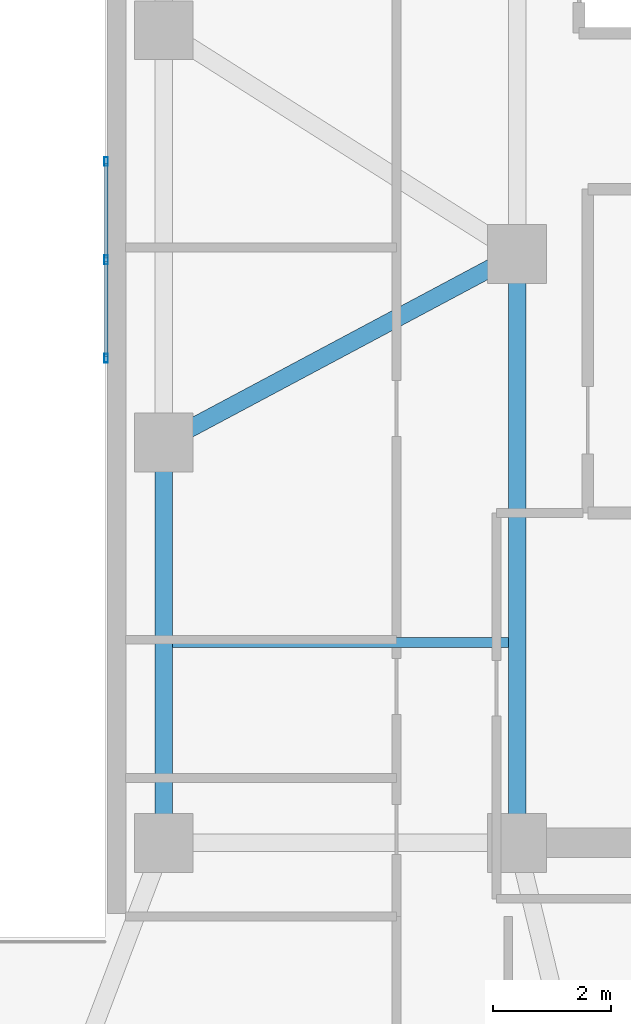
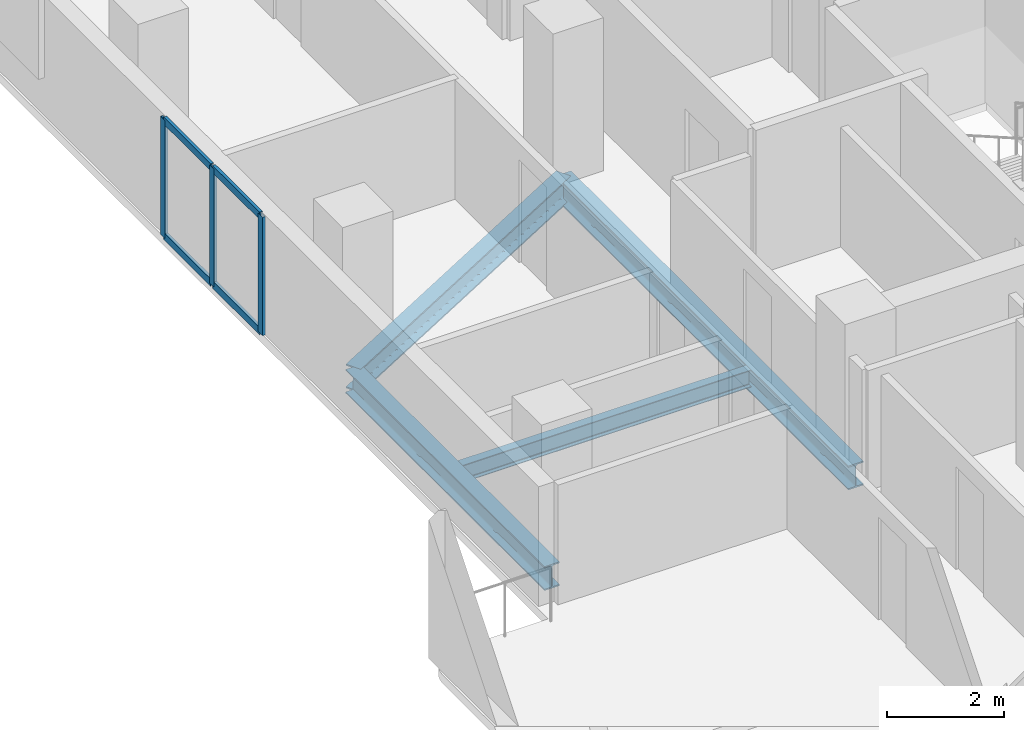
# One storey, part 8 of 17: 7 members, 4 beams, 1 element without a shape of its own.
"""IFC4 building model written with IfcOpenShell, lengths in metres."""

import ifcopenshell
import ifcopenshell.guid

model = None  # the IFC model being written
_history = None  # IfcOwnerHistory: only IFC2X3 demands one
_inside = {}  # id of a spatial element -> (the spatial element, [elements in it])
_under = {}  # id of a project, library or spatial element -> (it, [spatial elements below it])
_declared = {}  # id of a project -> (the project, [libraries it declares])
_typed = {}  # id of a type object -> (the type object, [elements of that type])
_made_of = {}  # id of a material, layer set ... -> (it, [elements and type objects made of it])


def new_model(schema):
    """Start an empty IFC model of exactly this schema.

    Asked for "IFC4X3", IfcOpenShell would pick the latest addendum, in which some entities
    have other attributes; the version numbers below select the first issue.
    IFC2X3 requires an IfcOwnerHistory on every rooted entity: one is made here for all.
    """
    global model, _history
    if schema == "IFC4X3":
        model = ifcopenshell.file(schema_version=(4, 3, 0, 0))
    else:
        model = ifcopenshell.file(schema=schema)
    _inside.clear()
    _under.clear()
    _declared.clear()
    _typed.clear()
    _made_of.clear()
    _history = None
    if model.schema == "IFC2X3":
        org = make("IfcOrganization", Name="unknown")
        user = make(
            "IfcPersonAndOrganization",
            ThePerson=make("IfcPerson", FamilyName="unknown"),
            TheOrganization=org,
        )
        app = make(
            "IfcApplication",
            ApplicationDeveloper=org,
            Version="unknown",
            ApplicationFullName="unknown",
            ApplicationIdentifier="unknown",
        )
        _history = make(
            "IfcOwnerHistory",
            OwningUser=user,
            OwningApplication=app,
            ChangeAction="ADDED",
            CreationDate=0,
        )
    return model


def make(cls, **values):
    """One entity of the class cls with the attributes given. An attribute that is None is left unset."""
    return model.create_entity(
        cls, **{name: value for name, value in values.items() if value is not None}
    )


def rooted(cls, **values):
    """An entity with a GlobalId (a new one), such as an element, a storey or a relation."""
    return make(cls, GlobalId=ifcopenshell.guid.new(), OwnerHistory=_history, **values)


def si_unit(unit_type, name, prefix=None):
    """IfcSIUnit, for example si_unit("LENGTHUNIT", "METRE", prefix="MILLI")."""
    return make("IfcSIUnit", UnitType=unit_type, Prefix=prefix, Name=name)


def assignment(units):
    """IfcUnitAssignment: the units of a project."""
    return None if units is None else make("IfcUnitAssignment", Units=units)


def point(xyz):
    """IfcCartesianPoint."""
    return None if xyz is None else make("IfcCartesianPoint", Coordinates=xyz)


def direction(xyz):
    """IfcDirection."""
    return None if xyz is None else make("IfcDirection", DirectionRatios=xyz)


def frame(location, z_axis=None, x_axis=None):
    """IfcAxis2Placement3D, a coordinate frame: its origin and axes. An axis left out is left unset."""
    return make(
        "IfcAxis2Placement3D",
        Location=point(location),
        Axis=direction(z_axis),
        RefDirection=direction(x_axis),
    )


def frame_2d(location, x_axis=None):
    """IfcAxis2Placement2D, a coordinate frame in the plane: its origin and x axis."""
    return make(
        "IfcAxis2Placement2D", Location=point(location), RefDirection=direction(x_axis)
    )


def origin():
    """The frame at (0, 0, 0) with its axes left unset."""
    return frame((0.0, 0.0, 0.0))


def origin_2d():
    """The frame at (0, 0) in the plane with its x axis left unset."""
    return frame_2d((0.0, 0.0))


def place(relative_to, where):
    """IfcLocalPlacement: puts the frame where relative to a parent placement (None: the world)."""
    return make(
        "IfcLocalPlacement", PlacementRelTo=relative_to, RelativePlacement=where
    )


def context(
    kind, dimensions, precision=None, world=None, true_north=None, identifier=None
):
    """IfcGeometricRepresentationContext, for example the 3D "Model" context."""
    return make(
        "IfcGeometricRepresentationContext",
        ContextIdentifier=identifier,
        ContextType=kind,
        CoordinateSpaceDimension=dimensions,
        Precision=precision,
        WorldCoordinateSystem=world,
        TrueNorth=true_north,
    )


def subcontext(parent, identifier, kind, view, scale=None):
    """IfcGeometricRepresentationSubContext, for example "Body" below "Model"."""
    return make(
        "IfcGeometricRepresentationSubContext",
        ContextIdentifier=identifier,
        ContextType=kind,
        ParentContext=parent,
        TargetScale=scale,
        TargetView=view,
    )


def project(units=None, contexts=None):
    """IfcProject with its units and contexts."""
    return rooted(
        "IfcProject",
        Name="project",
        RepresentationContexts=contexts,
        UnitsInContext=assignment(units),
    )


def spatial(cls, under=None, at=None, **own):
    """A site, building, storey or space (cls), placed at a placement, below another one or the project."""
    s = rooted(cls, ObjectPlacement=at, **own)
    if under is not None:
        _under.setdefault(under.id(), (under, []))[1].append(s)
    return s


def profile(cls, at=None, kind="AREA", **sizes):
    """A parametric profile (cls). Its sizes go by their IFC names, for example OverallWidth=200.0."""
    return make(cls, ProfileType=kind, Position=at, **sizes)


def hollow_rectangle(**sizes):
    """IfcRectangleHollowProfileDef."""
    return profile("IfcRectangleHollowProfileDef", **sizes)


def i_section(**sizes):
    """IfcIShapeProfileDef."""
    return profile("IfcIShapeProfileDef", **sizes)


def extrude(swept, where, along, depth):
    """IfcExtrudedAreaSolid: the profile swept, set in the frame where, extruded along a direction by depth."""
    return make(
        "IfcExtrudedAreaSolid",
        SweptArea=swept,
        Position=where,
        ExtrudedDirection=direction(along),
        Depth=depth,
    )


def shape(context_of_items, identifier, shape_type, items):
    """IfcShapeRepresentation: the items that make up one representation, for example the "Body"."""
    return make(
        "IfcShapeRepresentation",
        ContextOfItems=context_of_items,
        RepresentationIdentifier=identifier,
        RepresentationType=shape_type,
        Items=items,
    )


def material(Name=None, Category=None):
    """IfcMaterial."""
    return make("IfcMaterial", Name=Name, Category=Category)


def material_profile(
    of_material, cross_section, Name=None, Category=None, Priority=None
):
    """IfcMaterialProfile: a cross section and its material."""
    return make(
        "IfcMaterialProfile",
        Name=Name,
        Material=of_material,
        Profile=cross_section,
        Priority=Priority,
        Category=Category,
    )


def profile_set(profiles, Name=None, composite=None):
    """IfcMaterialProfileSet."""
    return make(
        "IfcMaterialProfileSet",
        Name=Name,
        MaterialProfiles=profiles,
        CompositeProfile=composite,
    )


def made_of(thing, what):
    """Note that an element or type object is made of a material, layer set ...; save() writes the relation."""
    if what is not None:
        _made_of.setdefault(what.id(), (what, []))[1].append(thing)
    return thing


def type_object(cls, material=None, **own):
    """A type object (cls), such as IfcWallType, which elements share."""
    return made_of(rooted(cls, **own), material)


def element(
    cls,
    number,
    at=None,
    inside=None,
    cuts=None,
    type_object=None,
    material=None,
    context=None,
    identifier="Body",
    shape_type=None,
    held_by="IfcProductDefinitionShape",
    body=None,
    shapes=None,
    **own,
):
    """One element of the class cls, such as IfcWall. Its Tag is "e" and its number.

    at: its placement. inside: the storey or other place that contains it. cuts: it is an
    opening in that element (IfcRelVoidsElement). A single representation is given by context,
    identifier, shape_type and body (its items); several are given by shapes. held_by: the class
    of the entity that holds the representations. save() writes the other relations.
    """
    e = rooted(cls, Tag="e%d" % number, ObjectPlacement=at, **own)
    if body is not None:
        shapes = [shape(context, identifier, shape_type, body)]
    if shapes is not None:
        e.Representation = make(held_by, Representations=shapes)
    if inside is not None:
        _inside.setdefault(inside.id(), (inside, []))[1].append(e)
    if cuts is not None:
        rooted(
            "IfcRelVoidsElement", RelatingBuildingElement=cuts, RelatedOpeningElement=e
        )
    if type_object is not None:
        _typed.setdefault(type_object.id(), (type_object, []))[1].append(e)
    return made_of(e, material)


def aggregate(whole, parts):
    """IfcRelAggregates: a whole, such as a stair, and the parts it consists of."""
    return rooted("IfcRelAggregates", RelatingObject=whole, RelatedObjects=parts)


def save(model, path):
    """Write the relations noted so far, then the file.

    IfcRelAggregates (storeys below a building ...), IfcRelContainedInSpatialStructure (elements
    in a storey), IfcRelDefinesByType, IfcRelAssociatesMaterial and IfcRelDeclares: one each for
    every whole, place, type object, material and project.
    """
    for whole, parts in _under.values():
        aggregate(whole, parts)
    for where, things in _inside.values():
        rooted(
            "IfcRelContainedInSpatialStructure",
            RelatedElements=things,
            RelatingStructure=where,
        )
    for kind, things in _typed.values():
        rooted("IfcRelDefinesByType", RelatedObjects=things, RelatingType=kind)
    for what, things in _made_of.values():
        rooted("IfcRelAssociatesMaterial", RelatedObjects=things, RelatingMaterial=what)
    for by, libraries in _declared.values():
        rooted("IfcRelDeclares", RelatingContext=by, RelatedDefinitions=libraries)
    model.write(path)


model = new_model("IFC4")

# Units and contexts
model_context = context("Model", 3, precision=1e-05, world=origin(), true_north=direction((0.0, 1.0)))
body_context = subcontext(model_context, "Body", "Model", "MODEL_VIEW")
ifc_project = project(units=[si_unit("LENGTHUNIT", "METRE"), si_unit("AREAUNIT", "SQUARE_METRE"), si_unit("VOLUMEUNIT", "CUBIC_METRE"), si_unit("PLANEANGLEUNIT", "RADIAN"), si_unit("MASSUNIT", "GRAM", prefix="KILO")], contexts=[model_context])

# Site, building, storey
site_placement = place(None, origin())
site = spatial("IfcSite", under=ifc_project, at=site_placement, CompositionType="ELEMENT")
building_placement = place(site_placement, origin())
building = spatial("IfcBuilding", under=site, at=building_placement, Name="Kuzgunbayir Cultural Tower", CompositionType="ELEMENT")
storey_placement = place(building_placement, frame((0.0, 0.0, 46.800048828125)))
storey = spatial("IfcBuildingStorey", under=building, at=storey_placement, Name="L12", CompositionType="ELEMENT", Elevation=46.800048828125)

# Beams
ifc_material_1 = material(Name="Steel S355J2", Category="steel")
ifc_material_profile_1 = material_profile(ifc_material_1, i_section(OverallWidth=0.300048828125, OverallDepth=0.5, WebThickness=0.014404296875, FlangeThickness=0.028076171875, FilletRadius=0.027099609375, at=origin_2d()), Name="HEB 500")
ifc_profile_set_1 = profile_set([ifc_material_profile_1], Name="Steel S355J2")
beam_type_1 = type_object("IfcBeamType", Name="BM-EXT-HEB500", PredefinedType="BEAM", material=ifc_profile_set_1)
beam_1_placement = place(storey_placement, frame((58.60009765625, 22.0, -0.429931640625), z_axis=(0.0, 1.0, 0.0), x_axis=(-1.0, 0.0, 0.0)))
element("IfcBeam", 1, at=beam_1_placement, inside=storey, type_object=beam_type_1, Name="L12 Companion West Girder", PredefinedType="BEAM", context=body_context, shape_type="SweptSolid", body=[
    extrude(i_section(OverallWidth=0.300048828125, OverallDepth=0.5, WebThickness=0.014404296875, FlangeThickness=0.028076171875, FilletRadius=0.027099609375, at=origin_2d()), origin(), (0.0, 0.0, 1.0), 6.800048828125),
])
ifc_material_profile_2 = material_profile(ifc_material_1, i_section(OverallWidth=0.300048828125, OverallDepth=0.5, WebThickness=0.014404296875, FlangeThickness=0.028076171875, FilletRadius=0.027099609375, at=origin_2d()), Name="HEB 500")
ifc_profile_set_2 = profile_set([ifc_material_profile_2], Name="Steel S355J2")
beam_type_2 = type_object("IfcBeamType", Name="BM-GIR-HEB500", PredefinedType="BEAM", material=ifc_profile_set_2)
beam_2_placement = place(storey_placement, frame((58.60009765625, 28.800048828125, -0.429931640625), z_axis=(0.882355922736, 0.470582644828, 0.0), x_axis=(-0.470582644828, 0.882355922736, 0.0)))
element("IfcBeam", 2, at=beam_2_placement, inside=storey, type_object=beam_type_2, Name="L12 Companion Transverse Girder 2", PredefinedType="BEAM", context=body_context, shape_type="SweptSolid", body=[
    extrude(i_section(OverallWidth=0.300048828125, OverallDepth=0.5, WebThickness=0.014404296875, FlangeThickness=0.028076171875, FilletRadius=0.027099609375, at=origin_2d()), origin(), (0.0, 0.0, 1.0), 6.800048828125),
])
beam_3_placement = place(storey_placement, frame((64.60009765625, 22.0, -0.429931640625), z_axis=(0.0, 1.0, 0.0), x_axis=(-1.0, 0.0, 0.0)))
element("IfcBeam", 3, at=beam_3_placement, inside=storey, type_object=beam_type_2, Name="L12 Companion Core West Girder 1", PredefinedType="BEAM", context=body_context, shape_type="SweptSolid", body=[
    extrude(i_section(OverallWidth=0.300048828125, OverallDepth=0.5, WebThickness=0.014404296875, FlangeThickness=0.028076171875, FilletRadius=0.027099609375, at=origin_2d()), origin(), (0.0, 0.0, 1.0), 10.0),
])
ifc_material_profile_3 = material_profile(ifc_material_1, i_section(OverallWidth=0.169921875, OverallDepth=0.360107421875, WebThickness=0.008056640625, FlangeThickness=0.0126953125, FilletRadius=0.01806640625, at=origin_2d()), Name="IPE 360")
ifc_profile_set_3 = profile_set([ifc_material_profile_3], Name="Steel S355J2")
beam_type_3 = type_object("IfcBeamType", Name="BM-JST-IPE360", PredefinedType="JOIST", material=ifc_profile_set_3)
beam_4_placement = place(storey_placement, frame((58.75, 25.39990234375, -0.360107421875), z_axis=(1.0, 0.0, 0.0), x_axis=(0.0, 1.0, 0.0)))
element("IfcBeam", 4, at=beam_4_placement, inside=storey, type_object=beam_type_3, Name="L12 Companion Joist", PredefinedType="JOIST", context=body_context, shape_type="SweptSolid", body=[
    extrude(i_section(OverallWidth=0.169921875, OverallDepth=0.360107421875, WebThickness=0.008056640625, FlangeThickness=0.0126953125, FilletRadius=0.01806640625, at=origin_2d()), origin(), (0.0, 0.0, 1.0), 5.699951171875),
])

# Curtain wall, members
ifc_material_2 = material(Name="Anodised Aluminium Framing", Category="aluminium")
curtain_wall_type = type_object("IfcCurtainWallType", Name="CW04-T2-CULTURAL", PredefinedType="NOTDEFINED", material=ifc_material_2)
curtain_wall_placement = place(storey_placement, origin())
curtain_wall = element("IfcCurtainWall", 5, at=curtain_wall_placement, inside=storey, type_object=curtain_wall_type, Name="L12 Companion Cultural Curtain Wall", PredefinedType="NOTDEFINED")
ifc_material_profile_4 = material_profile(ifc_material_2, hollow_rectangle(XDim=0.06005859375, YDim=0.14990234375, WallThickness=0.00390625, at=origin_2d()), Name="RHS 150x60x4")
ifc_profile_set_4 = profile_set([ifc_material_profile_4], Name="Anodised Aluminium Framing")
member_type_1 = type_object("IfcMemberType", Name="MEM-CW-MULLION-150", PredefinedType="MULLION", material=ifc_profile_set_4)
member_1_placement = place(storey_placement, frame((57.6201171875, 30.22998046875, 0.0), z_axis=(0.0, 0.0, 1.0), x_axis=(-1.0, 0.0, 0.0)))
member_1 = element("IfcMember", 6, at=member_1_placement, type_object=member_type_1, Name="CW04 mullion 1", PredefinedType="MULLION", context=body_context, shape_type="SweptSolid", body=[
    extrude(hollow_rectangle(XDim=0.06005859375, YDim=0.14990234375, WallThickness=0.00390625, at=origin_2d()), origin(), (0.0, 0.0, 1.0), 2.469970703125),
])
member_2_placement = place(storey_placement, frame((57.6201171875, 31.89990234375, 0.0), z_axis=(0.0, 0.0, 1.0), x_axis=(-1.0, 0.0, 0.0)))
member_2 = element("IfcMember", 7, at=member_2_placement, type_object=member_type_1, Name="CW04 mullion 2", PredefinedType="MULLION", context=body_context, shape_type="SweptSolid", body=[
    extrude(hollow_rectangle(XDim=0.06005859375, YDim=0.14990234375, WallThickness=0.00390625, at=origin_2d()), origin(), (0.0, 0.0, 1.0), 2.469970703125),
])
member_3_placement = place(storey_placement, frame((57.6201171875, 33.570068359375, 0.0), z_axis=(0.0, 0.0, 1.0), x_axis=(-1.0, 0.0, 0.0)))
member_3 = element("IfcMember", 8, at=member_3_placement, type_object=member_type_1, Name="CW04 mullion 3", PredefinedType="MULLION", context=body_context, shape_type="SweptSolid", body=[
    extrude(hollow_rectangle(XDim=0.06005859375, YDim=0.14990234375, WallThickness=0.00390625, at=origin_2d()), origin(), (0.0, 0.0, 1.0), 2.469970703125),
])
ifc_material_profile_5 = material_profile(ifc_material_2, hollow_rectangle(XDim=0.06005859375, YDim=0.14990234375, WallThickness=0.00390625, at=origin_2d()), Name="RHS 150x60x4")
ifc_profile_set_5 = profile_set([ifc_material_profile_5], Name="Anodised Aluminium Framing")
member_type_2 = type_object("IfcMemberType", Name="MEM-CW-TRANSOM-150", PredefinedType="USERDEFINED", material=ifc_profile_set_5)
member_4_placement = place(storey_placement, frame((57.6201171875, 30.260009765625, 0.030029296875), z_axis=(0.0, 1.0, 0.0), x_axis=(-1.0, 0.0, 0.0)))
member_4 = element("IfcMember", 9, at=member_4_placement, type_object=member_type_2, Name="CW04 transom 1.1", ObjectType="TRANSOM", PredefinedType="USERDEFINED", context=body_context, shape_type="SweptSolid", body=[
    extrude(hollow_rectangle(XDim=0.06005859375, YDim=0.14990234375, WallThickness=0.00390625, at=origin_2d()), origin(), (0.0, 0.0, 1.0), 1.610107421875),
])
member_5_placement = place(storey_placement, frame((57.6201171875, 30.260009765625, 2.43994140625), z_axis=(0.0, 1.0, 0.0), x_axis=(-1.0, 0.0, 0.0)))
member_5 = element("IfcMember", 10, at=member_5_placement, type_object=member_type_2, Name="CW04 transom 1.2", ObjectType="TRANSOM", PredefinedType="USERDEFINED", context=body_context, shape_type="SweptSolid", body=[
    extrude(hollow_rectangle(XDim=0.06005859375, YDim=0.14990234375, WallThickness=0.00390625, at=origin_2d()), origin(), (0.0, 0.0, 1.0), 1.610107421875),
])
member_6_placement = place(storey_placement, frame((57.6201171875, 31.929931640625, 0.030029296875), z_axis=(0.0, 1.0, 0.0), x_axis=(-1.0, 0.0, 0.0)))
member_6 = element("IfcMember", 11, at=member_6_placement, type_object=member_type_2, Name="CW04 transom 2.1", ObjectType="TRANSOM", PredefinedType="USERDEFINED", context=body_context, shape_type="SweptSolid", body=[
    extrude(hollow_rectangle(XDim=0.06005859375, YDim=0.14990234375, WallThickness=0.00390625, at=origin_2d()), origin(), (0.0, 0.0, 1.0), 1.610107421875),
])
member_7_placement = place(storey_placement, frame((57.6201171875, 31.929931640625, 2.43994140625), z_axis=(0.0, 1.0, 0.0), x_axis=(-1.0, 0.0, 0.0)))
member_7 = element("IfcMember", 12, at=member_7_placement, type_object=member_type_2, Name="CW04 transom 2.2", ObjectType="TRANSOM", PredefinedType="USERDEFINED", context=body_context, shape_type="SweptSolid", body=[
    extrude(hollow_rectangle(XDim=0.06005859375, YDim=0.14990234375, WallThickness=0.00390625, at=origin_2d()), origin(), (0.0, 0.0, 1.0), 1.610107421875),
])
aggregate(curtain_wall, [member_1, member_2, member_3, member_4, member_5, member_6, member_7])

save(model, "model.ifc")
